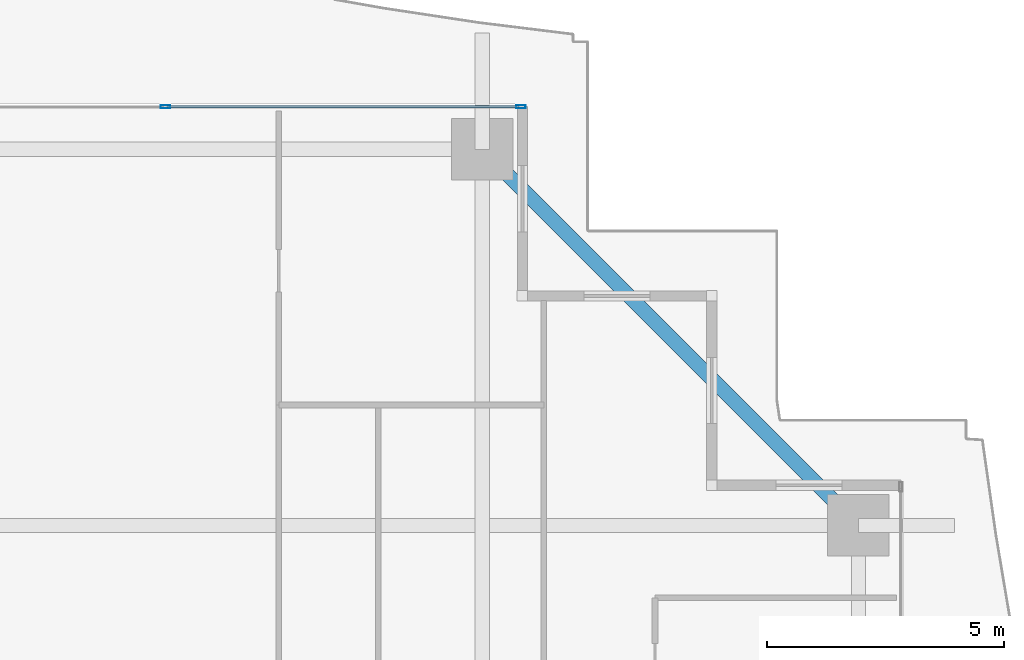
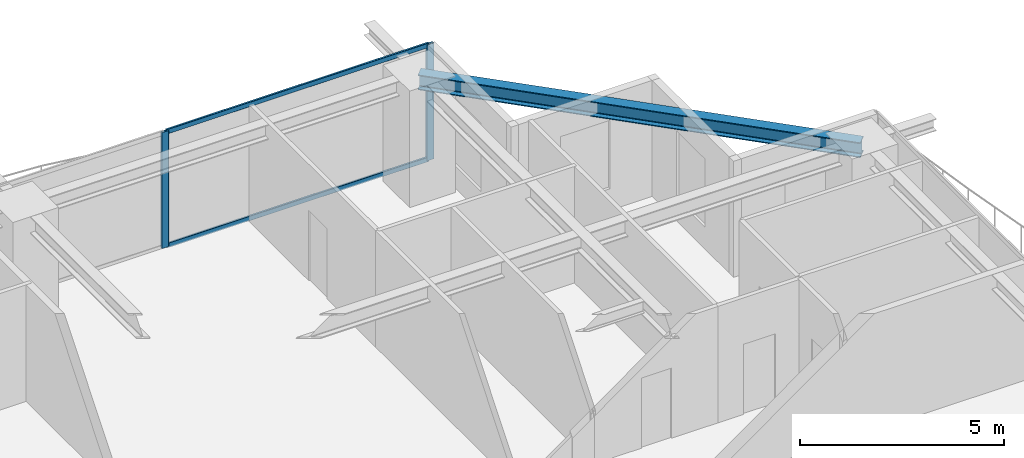
# One storey, part 20 of 33: 4 members, 1 beam, 1 element without a shape of its own.
"""IFC4 building model written with IfcOpenShell, lengths in metres."""

from ifc_helpers import new_model, si_unit, direction, frame, origin, origin_2d, place, context, subcontext, project, spatial, hollow_rectangle, i_section, extrude, source, transform, mapped, material, layer, layer_set, material_profile, profile_set, type_object, element, aggregate, save


model = new_model("IFC4")

# Units and contexts
model_context = context("Model", 3, precision=1e-05, world=origin(), true_north=direction((0.0, 1.0)))
body_context = subcontext(model_context, "Body", "Model", "MODEL_VIEW")
ifc_project = project(units=[si_unit("LENGTHUNIT", "METRE"), si_unit("AREAUNIT", "SQUARE_METRE"), si_unit("VOLUMEUNIT", "CUBIC_METRE"), si_unit("PLANEANGLEUNIT", "RADIAN"), si_unit("MASSUNIT", "GRAM", prefix="KILO")], contexts=[model_context])

# Site, building, storey
site_placement = place(None, origin())
site = spatial("IfcSite", under=ifc_project, at=site_placement, CompositionType="ELEMENT")
building_placement = place(site_placement, origin())
building = spatial("IfcBuilding", under=site, at=building_placement, Name="Serunith Strait Residences", CompositionType="ELEMENT")
storey_placement = place(building_placement, frame((0.0, 0.0, 150.14990234375)))
storey = spatial("IfcBuildingStorey", under=building, at=storey_placement, Name="L37", CompositionType="ELEMENT", Elevation=150.14990234375)

# Beam
ifc_material_1 = material(Name="Steel S355J2", Category="steel")
ifc_material_profile_1 = material_profile(ifc_material_1, i_section(OverallWidth=0.300048828125, OverallDepth=0.449951171875, WebThickness=0.013916015625, FlangeThickness=0.02587890625, FilletRadius=0.027099609375, at=origin_2d()), Name="HEB 450")
ifc_profile_set_1 = profile_set([ifc_material_profile_1], Name="Steel S355J2")
beam_type = type_object("IfcBeamType", Name="BM-HEB450", PredefinedType="BEAM", material=ifc_profile_set_1)
shared_shape_1 = source(origin(), body_context, "Body", "SweptSolid", [
    extrude(i_section(OverallWidth=0.300048828125, OverallDepth=0.449951171875, WebThickness=0.013916015625, FlangeThickness=0.02587890625, FilletRadius=0.027099609375, at=origin_2d()), origin(), (0.0, 0.0, 1.0), 11.2431640625),
])
beam_placement = place(storey_placement, frame((56.10009765625, 40.14990234375, 3.232177734375), z_axis=(-0.707106781187, 0.707106781187, 0.0), x_axis=(-0.707106781187, -0.707106781187, 0.0)))
element("IfcBeam", 1, at=beam_placement, inside=storey, type_object=beam_type, Name="L37 Perimeter Ring Beam 08", PredefinedType="BEAM", context=body_context, shape_type="MappedRepresentation", body=[
    mapped(shared_shape_1, transform((0.0, 0.0, 0.0), scale=1.0)),
])

# Curtain wall, members
ifc_material_2 = material(Name="Pale-Champagne Anodised Aluminium", Category="aluminium")
ifc_layer = layer(ifc_material_2, 0.199951171875, Name="Pale-Champagne Anodised Aluminium")
ifc_layer_set = layer_set([ifc_layer], Name="Pale-Champagne Anodised Aluminium")
curtain_wall_type = type_object("IfcCurtainWallType", Name="CW-SYS2", PredefinedType="NOTDEFINED", material=ifc_layer_set)
curtain_wall_placement = place(storey_placement, origin())
curtain_wall = element("IfcCurtainWall", 2, at=curtain_wall_placement, inside=storey, type_object=curtain_wall_type, Name="L37 N Unitised Fritted Curtain Wall", PredefinedType="NOTDEFINED")
ifc_material_profile_2 = material_profile(ifc_material_2, hollow_rectangle(XDim=0.070068359375, YDim=0.199951171875, WallThickness=0.00390625, InnerFilletRadius=0.006103515625, OuterFilletRadius=0.010009765625, at=origin_2d()), Name="ALU 200x70x4")
ifc_profile_set_2 = profile_set([ifc_material_profile_2], Name="Pale-Champagne Anodised Aluminium")
member_type_1 = type_object("IfcMemberType", Name="CW-SYS2-MULL", PredefinedType="MULLION", material=ifc_profile_set_2)
shared_shape_2 = source(origin(), body_context, "Body", "SweptSolid", [
    extrude(hollow_rectangle(XDim=0.070068359375, YDim=0.199951171875, WallThickness=0.00390625, InnerFilletRadius=0.006103515625, OuterFilletRadius=0.010009765625, at=origin_2d()), origin(), (0.0, 0.0, 1.0), 3.47509765625),
])
member_1_placement = place(storey_placement, frame((48.965087890625, 49.0, 0.0), z_axis=(0.0, 0.0, 1.0), x_axis=(0.0, -1.0, 0.0)))
member_1 = element("IfcMember", 3, at=member_1_placement, type_object=member_type_1, Name="CW-2 mullion 1", PredefinedType="MULLION", context=body_context, shape_type="MappedRepresentation", body=[
    mapped(shared_shape_2, transform((0.0, 0.0, 0.0), scale=1.0)),
])
member_2_placement = place(storey_placement, frame((41.449951171875, 49.0, 0.0), z_axis=(0.0, 0.0, 1.0), x_axis=(0.0, -1.0, 0.0)))
member_2 = element("IfcMember", 4, at=member_2_placement, type_object=member_type_1, Name="CW-2 mullion 2", PredefinedType="MULLION", context=body_context, shape_type="MappedRepresentation", body=[
    mapped(shared_shape_2, transform((0.0, 0.0, 0.0), scale=1.0)),
])
ifc_material_profile_3 = material_profile(ifc_material_2, hollow_rectangle(XDim=0.06005859375, YDim=0.139892578125, WallThickness=0.00341796875, InnerFilletRadius=0.00537109375, OuterFilletRadius=0.0087890625, at=origin_2d()), Name="ALU 140x60x3.5")
ifc_profile_set_3 = profile_set([ifc_material_profile_3], Name="Pale-Champagne Anodised Aluminium")
member_type_2 = type_object("IfcMemberType", Name="CW-SYS2-TRAN", PredefinedType="USERDEFINED", material=ifc_profile_set_3)
shared_shape_3 = source(origin(), body_context, "Body", "SweptSolid", [
    extrude(hollow_rectangle(XDim=0.06005859375, YDim=0.139892578125, WallThickness=0.00341796875, InnerFilletRadius=0.00537109375, OuterFilletRadius=0.0087890625, at=origin_2d()), origin(), (0.0, 0.0, 1.0), 7.44482421875),
])
member_3_placement = place(storey_placement, frame((48.929931640625, 49.0, 0.030029296875), z_axis=(-1.0, 0.0, 0.0), x_axis=(0.0, -1.0, 0.0)))
member_3 = element("IfcMember", 5, at=member_3_placement, type_object=member_type_2, Name="CW-2 transom 1.1", ObjectType="TRANSOM", PredefinedType="USERDEFINED", context=body_context, shape_type="MappedRepresentation", body=[
    mapped(shared_shape_3, transform((0.0, 0.0, 0.0), scale=1.0)),
])
member_4_placement = place(storey_placement, frame((48.929931640625, 49.0, 3.445068359375), z_axis=(-1.0, 0.0, 0.0), x_axis=(0.0, -1.0, 0.0)))
member_4 = element("IfcMember", 6, at=member_4_placement, type_object=member_type_2, Name="CW-2 transom 1.2", ObjectType="TRANSOM", PredefinedType="USERDEFINED", context=body_context, shape_type="MappedRepresentation", body=[
    mapped(shared_shape_3, transform((0.0, 0.0, 0.0), scale=1.0)),
])
aggregate(curtain_wall, [member_1, member_2, member_3, member_4])

save(model, "model.ifc")
